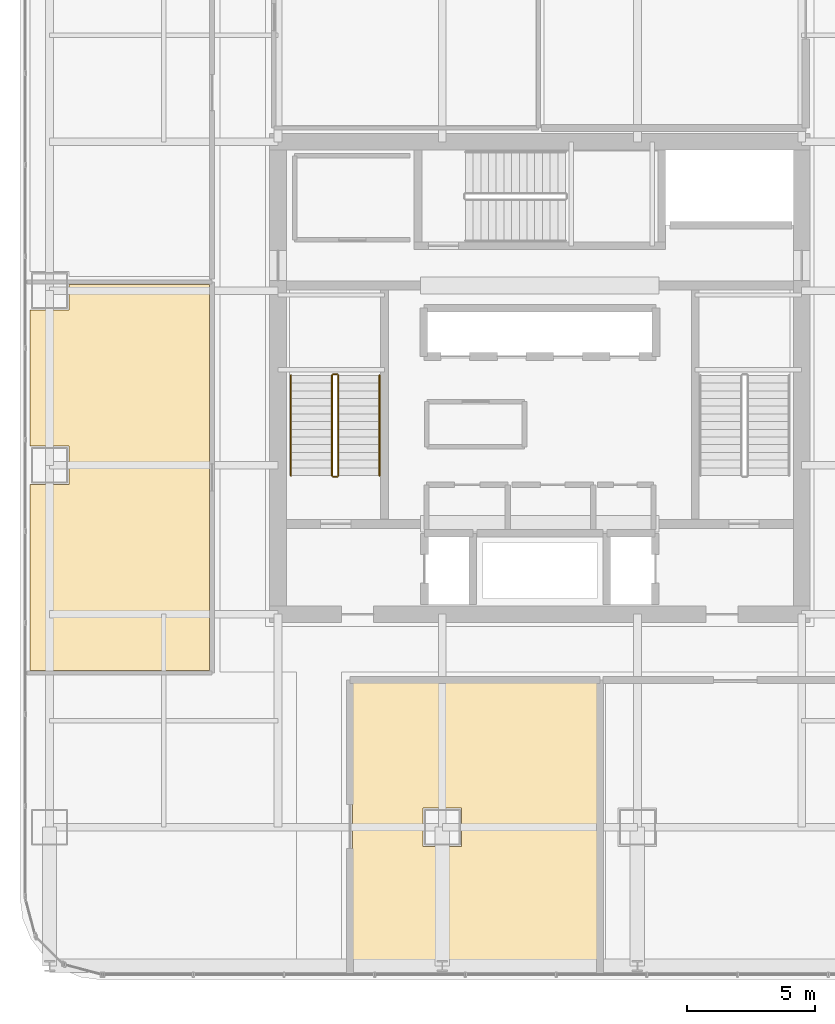
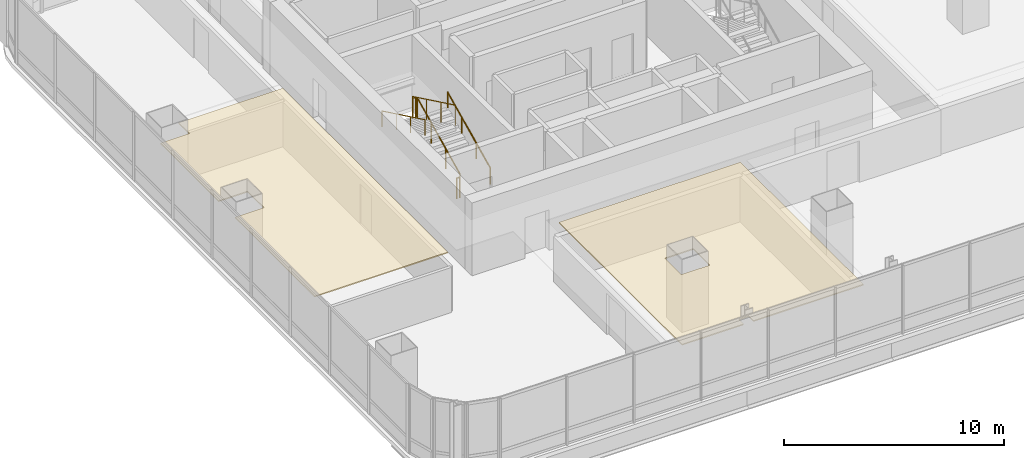
# One storey, part 32 of 35: 6 railings, 2 coverings.
"""IFC4 building model written with IfcOpenShell, lengths in metres."""

from ifc_helpers import new_model, si_unit, direction, frame, origin, origin_2d, place, context, subcontext, project, spatial, polyline, circle, outline, extrude, material, layer, layer_set, type_object, element, save


model = new_model("IFC4")

# Units and contexts
model_context = context("Model", 3, precision=1e-05, world=origin(), true_north=direction((0.0, 1.0)))
body_context = subcontext(model_context, "Body", "Model", "MODEL_VIEW")
ifc_project = project(units=[si_unit("LENGTHUNIT", "METRE"), si_unit("AREAUNIT", "SQUARE_METRE"), si_unit("VOLUMEUNIT", "CUBIC_METRE"), si_unit("PLANEANGLEUNIT", "RADIAN"), si_unit("MASSUNIT", "GRAM", prefix="KILO")], contexts=[model_context])

# Site, building, storey
site_placement = place(None, origin())
site = spatial("IfcSite", under=ifc_project, at=site_placement, CompositionType="ELEMENT")
building_placement = place(site_placement, origin())
building = spatial("IfcBuilding", under=site, at=building_placement, Name="Punatoya Terracotta Tower", CompositionType="ELEMENT")
storey_placement = place(building_placement, frame((0.0, 0.0, 216.75)))
storey = spatial("IfcBuildingStorey", under=building, at=storey_placement, Name="L51", CompositionType="ELEMENT", Elevation=216.75)

# Coverings
ifc_material_1 = material(Name="Acoustic Mineral Fibre Ceiling")
ifc_layer = layer(ifc_material_1, 0.06005859375)
ifc_layer_set = layer_set([ifc_layer], Name="Acoustic Mineral Fibre Ceiling")
covering_type = type_object("IfcCoveringType", Name="COV-CEIL-60", PredefinedType="CEILING", material=ifc_layer_set)
covering_1_placement = place(storey_placement, frame((0.0, 0.0, 3.219970703125)))
element("IfcCovering", 1, at=covering_1_placement, inside=storey, type_object=covering_type, Name="L51 Open-Plan Client Dining Salon Acoustic Ceiling", PredefinedType="CEILING", context=body_context, shape_type="SweptSolid", body=[
    extrude(outline(polyline([(-7.300048828125, -23.070068359375), (-4.054443359375, -23.070068359375), (-4.054443359375, -22.637451171875), (-3.54541015625, -22.637451171875), (-3.54541015625, -23.070068359375), (2.239990234375, -23.070068359375), (2.239990234375, -11.8701171875), (-7.300048828125, -11.8701171875), (-7.300048828125, -23.070068359375)]), holes=[polyline([(-4.550048828125, -16.75), (-3.050048828125, -16.75), (-3.050048828125, -18.25), (-4.550048828125, -18.25), (-4.550048828125, -16.75)])]), origin(), (0.0, 0.0, 1.0), 0.06005859375),
])
covering_2_placement = place(storey_placement, frame((0.0, 0.0, 3.219970703125)))
element("IfcCovering", 2, at=covering_2_placement, inside=storey, type_object=covering_type, Name="L51 Open-Plan Catering Tea Pantry Acoustic Ceiling", PredefinedType="CEILING", context=body_context, shape_type="SweptSolid", body=[
    extrude(outline(polyline([(-19.8701171875, 2.64990234375), (-19.8701171875, -2.64990234375), (-18.35009765625, -2.64990234375), (-18.35009765625, -4.14990234375), (-19.8701171875, -4.14990234375), (-19.8701171875, -11.389892578125), (-12.8701171875, -11.389892578125), (-12.8701171875, 3.639892578125), (-18.35009765625, 3.639892578125), (-18.35009765625, 2.64990234375), (-19.8701171875, 2.64990234375)])), origin(), (0.0, 0.0, 1.0), 0.06005859375),
])

# Railings
ifc_material_2 = material(Name="Steel S355", Category="steel")
railing_type_1 = type_object("IfcRailingType", Name="RLG-GRD-1150", PredefinedType="GUARDRAIL", material=ifc_material_2)
railing_1_placement = place(storey_placement, frame((-7.85009765625, -3.800048828125, 0.14453125)))
element("IfcRailing", 3, at=railing_1_placement, inside=storey, type_object=railing_type_1, Name="L51 ST-1 stair guard 1", PredefinedType="GUARDRAIL", context=body_context, shape_type="SweptSolid", body=[
    extrude(circle(Radius=0.02392578125, at=origin_2d()), frame((0.0, 0.0, 1.1259765625), z_axis=(0.0, 0.900773802044, 0.434288564841), x_axis=(-1.0, 0.0, 0.0)), (0.0, 0.0, 1.0), 4.329833984375),
    extrude(circle(Radius=0.02099609375, at=origin_2d()), origin(), (0.0, 0.0, 1.0), 1.101806640625),
    extrude(circle(Radius=0.02099609375, at=origin_2d()), frame((0.0, 1.300048828125, 0.626708984375)), (0.0, 0.0, 1.0), 1.101806640625),
    extrude(circle(Radius=0.02099609375, at=origin_2d()), frame((0.0, 2.60009765625, 1.253662109375)), (0.0, 0.0, 1.0), 1.101806640625),
    extrude(circle(Radius=0.02099609375, at=origin_2d()), frame((0.0, 3.900146484375, 1.88037109375)), (0.0, 0.0, 1.0), 1.101806640625),
])
railing_2_placement = place(storey_placement, frame((-7.89990234375, 0.14990234375, 2.02490234375)))
element("IfcRailing", 4, at=railing_2_placement, inside=storey, type_object=railing_type_1, Name="L51 ST-1 stair guard 2", PredefinedType="GUARDRAIL", context=body_context, shape_type="SweptSolid", body=[
    extrude(circle(Radius=0.02392578125, at=origin_2d()), frame((0.0, 0.0, 1.1259765625), z_axis=(-1.0, 0.0, 0.0), x_axis=(0.0, -1.0, 0.0)), (0.0, 0.0, 1.0), 0.150146484375),
    extrude(circle(Radius=0.02099609375, at=origin_2d()), origin(), (0.0, 0.0, 1.0), 1.101806640625),
    extrude(circle(Radius=0.02099609375, at=origin_2d()), frame((-0.150146484375, 0.0, 0.0)), (0.0, 0.0, 1.0), 1.101806640625),
])
railing_3_placement = place(storey_placement, frame((-8.10009765625, 0.10009765625, 2.169677734375)))
element("IfcRailing", 5, at=railing_3_placement, inside=storey, type_object=railing_type_1, Name="L51 ST-1 stair guard 3", PredefinedType="GUARDRAIL", context=body_context, shape_type="SweptSolid", body=[
    extrude(circle(Radius=0.02392578125, at=origin_2d()), frame((0.0, 0.0, 1.1259765625), z_axis=(0.0, -0.900773802044, 0.434288564841), x_axis=(1.0, 0.0, 0.0)), (0.0, 0.0, 1.0), 4.329833984375),
    extrude(circle(Radius=0.02099609375, at=origin_2d()), origin(), (0.0, 0.0, 1.0), 1.101806640625),
    extrude(circle(Radius=0.02099609375, at=origin_2d()), frame((0.0, -1.300048828125, 0.626708984375)), (0.0, 0.0, 1.0), 1.101806640625),
    extrude(circle(Radius=0.02099609375, at=origin_2d()), frame((0.0, -2.60009765625, 1.253662109375)), (0.0, 0.0, 1.0), 1.101806640625),
    extrude(circle(Radius=0.02099609375, at=origin_2d()), frame((0.0, -3.900146484375, 1.88037109375)), (0.0, 0.0, 1.0), 1.101806640625),
])
railing_4_placement = place(storey_placement, frame((-7.89990234375, -3.85009765625, 0.0)))
element("IfcRailing", 6, at=railing_4_placement, inside=storey, type_object=railing_type_1, Name="L51 ST-1 stair guard 4", PredefinedType="GUARDRAIL", context=body_context, shape_type="SweptSolid", body=[
    extrude(circle(Radius=0.02392578125, at=origin_2d()), frame((0.0, 0.0, 1.1259765625), z_axis=(-1.0, 0.0, 0.0), x_axis=(0.0, -1.0, 0.0)), (0.0, 0.0, 1.0), 0.150146484375),
    extrude(circle(Radius=0.02099609375, at=origin_2d()), origin(), (0.0, 0.0, 1.0), 1.101806640625),
    extrude(circle(Radius=0.02099609375, at=origin_2d()), frame((-0.150146484375, 0.0, 0.0)), (0.0, 0.0, 1.0), 1.101806640625),
])
railing_type_2 = type_object("IfcRailingType", Name="RLG-HND-900", PredefinedType="HANDRAIL", material=ifc_material_2)
railing_5_placement = place(storey_placement, frame((-6.25, -3.800048828125, 0.14453125)))
element("IfcRailing", 7, at=railing_5_placement, inside=storey, type_object=railing_type_2, Name="L51 ST-1 stair handrail 1", PredefinedType="HANDRAIL", context=body_context, shape_type="SweptSolid", body=[
    extrude(circle(Radius=0.02392578125, at=origin_2d()), frame((0.0, 0.0, 0.8759765625), z_axis=(0.0, 0.900773802044, 0.434288564841), x_axis=(-1.0, 0.0, 0.0)), (0.0, 0.0, 1.0), 4.329833984375),
    extrude(circle(Radius=0.02099609375, at=origin_2d()), origin(), (0.0, 0.0, 1.0), 0.851806640625),
    extrude(circle(Radius=0.02099609375, at=origin_2d()), frame((0.0, 1.300048828125, 0.626708984375)), (0.0, 0.0, 1.0), 0.851806640625),
    extrude(circle(Radius=0.02099609375, at=origin_2d()), frame((0.0, 2.60009765625, 1.253662109375)), (0.0, 0.0, 1.0), 0.851806640625),
    extrude(circle(Radius=0.02099609375, at=origin_2d()), frame((0.0, 3.900146484375, 1.88037109375)), (0.0, 0.0, 1.0), 0.851806640625),
])
railing_6_placement = place(storey_placement, frame((-9.699951171875, 0.10009765625, 2.169677734375)))
element("IfcRailing", 8, at=railing_6_placement, inside=storey, type_object=railing_type_2, Name="L51 ST-1 stair handrail 2", PredefinedType="HANDRAIL", context=body_context, shape_type="SweptSolid", body=[
    extrude(circle(Radius=0.02392578125, at=origin_2d()), frame((0.0, 0.0, 0.8759765625), z_axis=(0.0, -0.900773802044, 0.434288564841), x_axis=(1.0, 0.0, 0.0)), (0.0, 0.0, 1.0), 4.329833984375),
    extrude(circle(Radius=0.02099609375, at=origin_2d()), origin(), (0.0, 0.0, 1.0), 0.851806640625),
    extrude(circle(Radius=0.02099609375, at=origin_2d()), frame((0.0, -1.300048828125, 0.626708984375)), (0.0, 0.0, 1.0), 0.851806640625),
    extrude(circle(Radius=0.02099609375, at=origin_2d()), frame((0.0, -2.60009765625, 1.253662109375)), (0.0, 0.0, 1.0), 0.851806640625),
    extrude(circle(Radius=0.02099609375, at=origin_2d()), frame((0.0, -3.900146484375, 1.88037109375)), (0.0, 0.0, 1.0), 0.851806640625),
])

save(model, "model.ifc")
